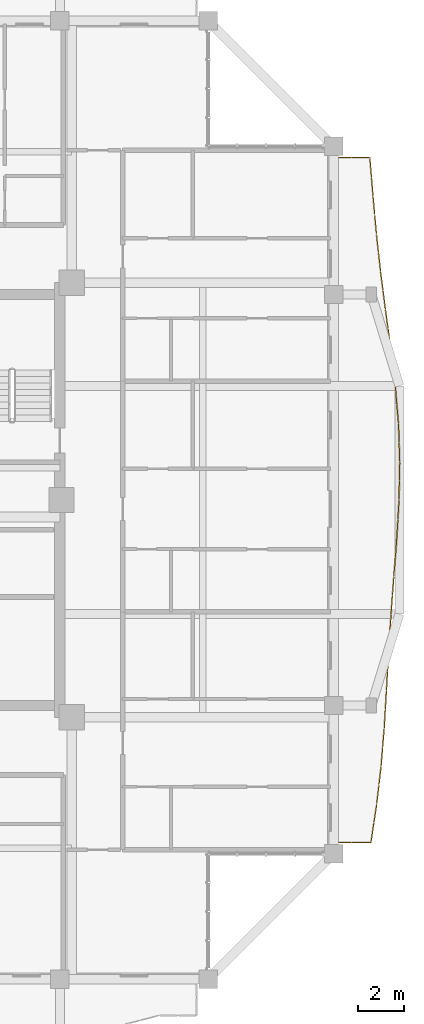
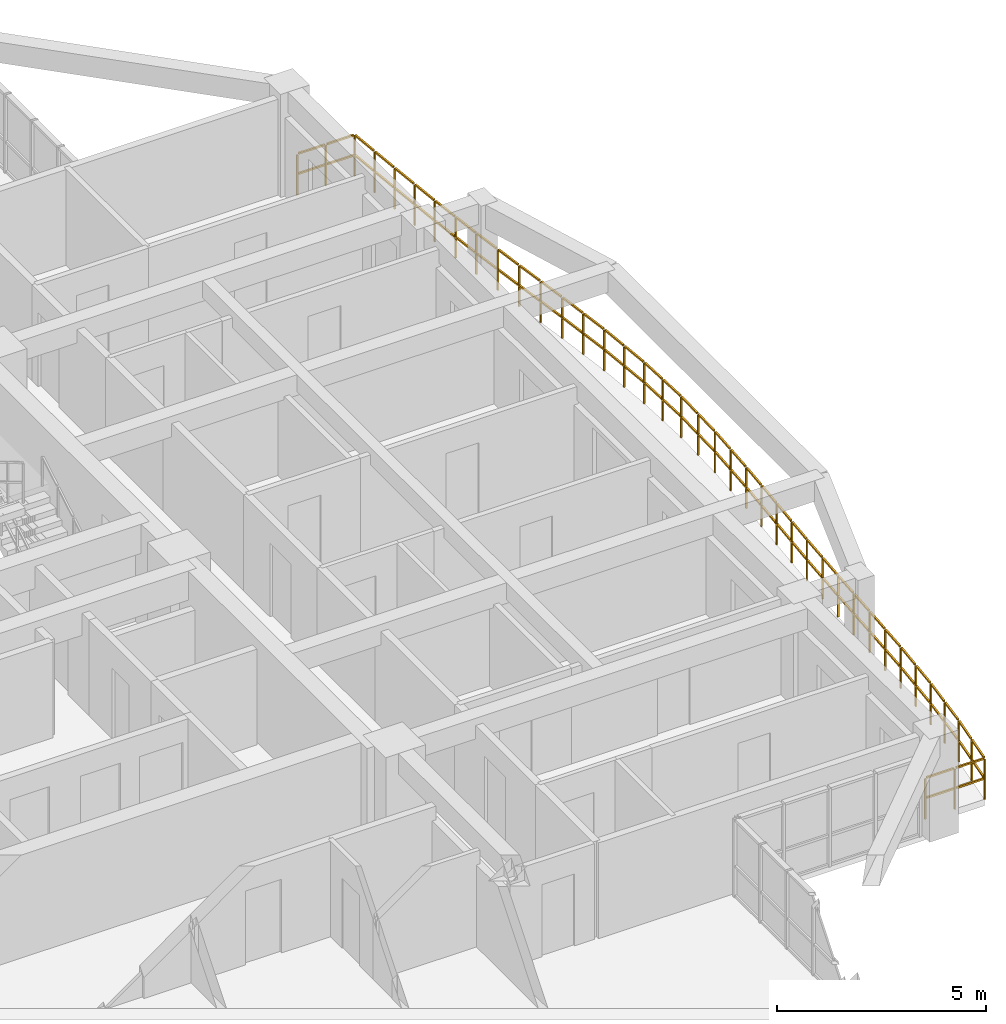
# One storey, part 21 of 22: 1 railing.
"""IFC4 building model written with IfcOpenShell, lengths in metres."""

from ifc_helpers import new_model, si_unit, direction, frame, origin, origin_2d, place, context, subcontext, project, spatial, rectangle, extrude, material, type_object, element, save


model = new_model("IFC4")

# Units and contexts
model_context = context("Model", 3, precision=1e-05, world=origin(), true_north=direction((0.0, 1.0)))
body_context = subcontext(model_context, "Body", "Model", "MODEL_VIEW")
ifc_project = project(units=[si_unit("LENGTHUNIT", "METRE"), si_unit("AREAUNIT", "SQUARE_METRE"), si_unit("VOLUMEUNIT", "CUBIC_METRE"), si_unit("PLANEANGLEUNIT", "RADIAN"), si_unit("MASSUNIT", "GRAM", prefix="KILO")], contexts=[model_context])

# Site, building, storey
site_placement = place(None, origin())
site = spatial("IfcSite", under=ifc_project, at=site_placement, CompositionType="ELEMENT")
building_placement = place(site_placement, origin())
building = spatial("IfcBuilding", under=site, at=building_placement, Name="Saelheon Loggia Tower", CompositionType="ELEMENT")
storey_placement = place(building_placement, frame((0.0, 0.0, 196.60009765625)))
storey = spatial("IfcBuildingStorey", under=building, at=storey_placement, Name="L61", CompositionType="ELEMENT", Elevation=196.60009765625)

# Railing
ifc_material = material(Name="Architectural Precast Concrete and Laminated Glass Guard", Category="concrete")
railing_type = type_object("IfcRailingType", Name="Guard_Loggia_RL_LOG", PredefinedType="BALUSTRADE", material=ifc_material)
railing_placement = place(storey_placement, frame((56.5, 12.0, 0.0)))
element("IfcRailing", 1, at=railing_placement, inside=storey, type_object=railing_type, Name="L61 East Loggia Balustrade", PredefinedType="BALUSTRADE", context=body_context, shape_type="SweptSolid", body=[
    extrude(rectangle(XDim=0.048095703125, YDim=0.048095703125, at=origin_2d()), frame((0.033203125, 0.0, 1.19580078125), z_axis=(1.0, 0.0, 0.0), x_axis=(0.0, 1.0, 0.0)), (0.0, 0.0, 1.0), 0.7509765625),
    extrude(rectangle(XDim=0.048095703125, YDim=0.048095703125, at=origin_2d()), frame((0.033203125, 0.0, 0.60986328125), z_axis=(1.0, 0.0, 0.0), x_axis=(0.0, 1.0, 0.0)), (0.0, 0.0, 1.0), 0.7509765625),
    extrude(rectangle(XDim=0.048095703125, YDim=0.048095703125, at=origin_2d()), frame((0.850830078125, 0.0, 1.19580078125), z_axis=(1.0, 0.0, 0.0), x_axis=(0.0, 1.0, 0.0)), (0.0, 0.0, 1.0), 0.7509765625),
    extrude(rectangle(XDim=0.048095703125, YDim=0.048095703125, at=origin_2d()), frame((0.850830078125, 0.0, 0.60986328125), z_axis=(1.0, 0.0, 0.0), x_axis=(0.0, 1.0, 0.0)), (0.0, 0.0, 1.0), 0.7509765625),
    extrude(rectangle(XDim=0.048095703125, YDim=0.048095703125, at=origin_2d()), frame((1.639892578125, 0.032958984375, 1.19580078125), z_axis=(0.149041602908, 0.988830926196, 0.0), x_axis=(-0.988830926196, 0.149041602908, 0.0)), (0.0, 0.0, 1.0), 0.7763671875),
    extrude(rectangle(XDim=0.048095703125, YDim=0.048095703125, at=origin_2d()), frame((1.639892578125, 0.032958984375, 0.60986328125), z_axis=(0.149041602908, 0.988830926196, 0.0), x_axis=(-0.988830926196, 0.149041602908, 0.0)), (0.0, 0.0, 1.0), 0.7763671875),
    extrude(rectangle(XDim=0.048095703125, YDim=0.048095703125, at=origin_2d()), frame((1.765625, 0.8662109375, 1.19580078125), z_axis=(0.149041602908, 0.988830926196, 0.0), x_axis=(-0.988830926196, 0.149041602908, 0.0)), (0.0, 0.0, 1.0), 0.7763671875),
    extrude(rectangle(XDim=0.048095703125, YDim=0.048095703125, at=origin_2d()), frame((1.765625, 0.8662109375, 0.60986328125), z_axis=(0.149041602908, 0.988830926196, 0.0), x_axis=(-0.988830926196, 0.149041602908, 0.0)), (0.0, 0.0, 1.0), 0.7763671875),
    extrude(rectangle(XDim=0.048095703125, YDim=0.048095703125, at=origin_2d()), frame((1.89013671875, 1.69970703125, 1.19580078125), z_axis=(0.115110168559, 0.993352731458, 0.0), x_axis=(-0.993352731458, 0.115110168559, 0.0)), (0.0, 0.0, 1.0), 0.7724609375),
    extrude(rectangle(XDim=0.048095703125, YDim=0.048095703125, at=origin_2d()), frame((1.89013671875, 1.69970703125, 0.60986328125), z_axis=(0.115110168559, 0.993352731458, 0.0), x_axis=(-0.993352731458, 0.115110168559, 0.0)), (0.0, 0.0, 1.0), 0.7724609375),
    extrude(rectangle(XDim=0.048095703125, YDim=0.048095703125, at=origin_2d()), frame((1.986572265625, 2.532958984375, 1.19580078125), z_axis=(0.115110168559, 0.993352731458, 0.0), x_axis=(-0.993352731458, 0.115110168559, 0.0)), (0.0, 0.0, 1.0), 0.7724609375),
    extrude(rectangle(XDim=0.048095703125, YDim=0.048095703125, at=origin_2d()), frame((1.986572265625, 2.532958984375, 0.60986328125), z_axis=(0.115110168559, 0.993352731458, 0.0), x_axis=(-0.993352731458, 0.115110168559, 0.0)), (0.0, 0.0, 1.0), 0.7724609375),
    extrude(rectangle(XDim=0.048095703125, YDim=0.048095703125, at=origin_2d()), frame((2.08203125, 3.366455078125, 1.19580078125), z_axis=(0.081317613755, 0.996688238966, 0.0), x_axis=(-0.996688238966, 0.081317613755, 0.0)), (0.0, 0.0, 1.0), 0.769775390625),
    extrude(rectangle(XDim=0.048095703125, YDim=0.048095703125, at=origin_2d()), frame((2.08203125, 3.366455078125, 0.60986328125), z_axis=(0.081317613755, 0.996688238966, 0.0), x_axis=(-0.996688238966, 0.081317613755, 0.0)), (0.0, 0.0, 1.0), 0.769775390625),
    extrude(rectangle(XDim=0.048095703125, YDim=0.048095703125, at=origin_2d()), frame((2.150146484375, 4.19970703125, 1.19580078125), z_axis=(0.081317613755, 0.996688238966, 0.0), x_axis=(-0.996688238966, 0.081317613755, 0.0)), (0.0, 0.0, 1.0), 0.769775390625),
    extrude(rectangle(XDim=0.048095703125, YDim=0.048095703125, at=origin_2d()), frame((2.150146484375, 4.19970703125, 0.60986328125), z_axis=(0.081317613755, 0.996688238966, 0.0), x_axis=(-0.996688238966, 0.081317613755, 0.0)), (0.0, 0.0, 1.0), 0.769775390625),
    extrude(rectangle(XDim=0.048095703125, YDim=0.048095703125, at=origin_2d()), frame((2.21728515625, 5.033203125, 1.19580078125), z_axis=(0.059510570368, 0.99822767544, 0.0), x_axis=(-0.99822767544, 0.059510570368, 0.0)), (0.0, 0.0, 1.0), 0.768310546875),
    extrude(rectangle(XDim=0.048095703125, YDim=0.048095703125, at=origin_2d()), frame((2.21728515625, 5.033203125, 0.60986328125), z_axis=(0.059510570368, 0.99822767544, 0.0), x_axis=(-0.99822767544, 0.059510570368, 0.0)), (0.0, 0.0, 1.0), 0.768310546875),
    extrude(rectangle(XDim=0.048095703125, YDim=0.048095703125, at=origin_2d()), frame((2.26708984375, 5.866455078125, 1.19580078125), z_axis=(0.059510570368, 0.99822767544, 0.0), x_axis=(-0.99822767544, 0.059510570368, 0.0)), (0.0, 0.0, 1.0), 0.768310546875),
    extrude(rectangle(XDim=0.048095703125, YDim=0.048095703125, at=origin_2d()), frame((2.26708984375, 5.866455078125, 0.60986328125), z_axis=(0.059510570368, 0.99822767544, 0.0), x_axis=(-0.99822767544, 0.059510570368, 0.0)), (0.0, 0.0, 1.0), 0.768310546875),
    extrude(rectangle(XDim=0.048095703125, YDim=0.048095703125, at=origin_2d()), frame((2.31640625, 6.699951171875, 1.19580078125), z_axis=(0.055000126962, 0.998486347445, 0.0), x_axis=(-0.998486347445, 0.055000126962, 0.0)), (0.0, 0.0, 1.0), 0.76806640625),
    extrude(rectangle(XDim=0.048095703125, YDim=0.048095703125, at=origin_2d()), frame((2.31640625, 6.699951171875, 0.60986328125), z_axis=(0.055000126962, 0.998486347445, 0.0), x_axis=(-0.998486347445, 0.055000126962, 0.0)), (0.0, 0.0, 1.0), 0.76806640625),
    extrude(rectangle(XDim=0.048095703125, YDim=0.048095703125, at=origin_2d()), frame((2.3623046875, 7.533203125, 1.19580078125), z_axis=(0.055000126962, 0.998486347445, 0.0), x_axis=(-0.998486347445, 0.055000126962, 0.0)), (0.0, 0.0, 1.0), 0.76806640625),
    extrude(rectangle(XDim=0.048095703125, YDim=0.048095703125, at=origin_2d()), frame((2.3623046875, 7.533203125, 0.60986328125), z_axis=(0.055000126962, 0.998486347445, 0.0), x_axis=(-0.998486347445, 0.055000126962, 0.0)), (0.0, 0.0, 1.0), 0.76806640625),
    extrude(rectangle(XDim=0.048095703125, YDim=0.048095703125, at=origin_2d()), frame((2.40869140625, 8.366455078125, 1.19580078125), z_axis=(0.063879811167, 0.997957599162, 0.0), x_axis=(-0.997957599162, 0.063879811167, 0.0)), (0.0, 0.0, 1.0), 0.7685546875),
    extrude(rectangle(XDim=0.048095703125, YDim=0.048095703125, at=origin_2d()), frame((2.40869140625, 8.366455078125, 0.60986328125), z_axis=(0.063879811167, 0.997957599162, 0.0), x_axis=(-0.997957599162, 0.063879811167, 0.0)), (0.0, 0.0, 1.0), 0.7685546875),
    extrude(rectangle(XDim=0.048095703125, YDim=0.048095703125, at=origin_2d()), frame((2.4619140625, 9.19970703125, 1.19580078125), z_axis=(0.063879811167, 0.997957599162, 0.0), x_axis=(-0.997957599162, 0.063879811167, 0.0)), (0.0, 0.0, 1.0), 0.7685546875),
    extrude(rectangle(XDim=0.048095703125, YDim=0.048095703125, at=origin_2d()), frame((2.4619140625, 9.19970703125, 0.60986328125), z_axis=(0.063879811167, 0.997957599162, 0.0), x_axis=(-0.997957599162, 0.063879811167, 0.0)), (0.0, 0.0, 1.0), 0.7685546875),
    extrude(rectangle(XDim=0.048095703125, YDim=0.048095703125, at=origin_2d()), frame((2.515625, 10.033203125, 1.19580078125), z_axis=(0.075076807606, 0.997177753943, 0.0), x_axis=(-0.997177753943, 0.075076807606, 0.0)), (0.0, 0.0, 1.0), 0.769287109375),
    extrude(rectangle(XDim=0.048095703125, YDim=0.048095703125, at=origin_2d()), frame((2.515625, 10.033203125, 0.60986328125), z_axis=(0.075076807606, 0.997177753943, 0.0), x_axis=(-0.997177753943, 0.075076807606, 0.0)), (0.0, 0.0, 1.0), 0.769287109375),
    extrude(rectangle(XDim=0.048095703125, YDim=0.048095703125, at=origin_2d()), frame((2.578369140625, 10.866455078125, 1.19580078125), z_axis=(0.075076807606, 0.997177753943, 0.0), x_axis=(-0.997177753943, 0.075076807606, 0.0)), (0.0, 0.0, 1.0), 0.769287109375),
    extrude(rectangle(XDim=0.048095703125, YDim=0.048095703125, at=origin_2d()), frame((2.578369140625, 10.866455078125, 0.60986328125), z_axis=(0.075076807606, 0.997177753943, 0.0), x_axis=(-0.997177753943, 0.075076807606, 0.0)), (0.0, 0.0, 1.0), 0.769287109375),
    extrude(rectangle(XDim=0.048095703125, YDim=0.048095703125, at=origin_2d()), frame((2.64111328125, 11.699951171875, 1.19580078125), z_axis=(0.075959226601, 0.997110924569, 0.0), x_axis=(-0.997110924569, 0.075959226601, 0.0)), (0.0, 0.0, 1.0), 0.769287109375),
    extrude(rectangle(XDim=0.048095703125, YDim=0.048095703125, at=origin_2d()), frame((2.64111328125, 11.699951171875, 0.60986328125), z_axis=(0.075959226601, 0.997110924569, 0.0), x_axis=(-0.997110924569, 0.075959226601, 0.0)), (0.0, 0.0, 1.0), 0.769287109375),
    extrude(rectangle(XDim=0.048095703125, YDim=0.048095703125, at=origin_2d()), frame((2.70458984375, 12.533203125, 1.19580078125), z_axis=(0.075959226601, 0.997110924569, 0.0), x_axis=(-0.997110924569, 0.075959226601, 0.0)), (0.0, 0.0, 1.0), 0.769287109375),
    extrude(rectangle(XDim=0.048095703125, YDim=0.048095703125, at=origin_2d()), frame((2.70458984375, 12.533203125, 0.60986328125), z_axis=(0.075959226601, 0.997110924569, 0.0), x_axis=(-0.997110924569, 0.075959226601, 0.0)), (0.0, 0.0, 1.0), 0.769287109375),
    extrude(rectangle(XDim=0.048095703125, YDim=0.048095703125, at=origin_2d()), frame((2.767578125, 13.366455078125, 1.19580078125), z_axis=(0.057761901726, 0.998330387552, 0.0), x_axis=(-0.998330387552, 0.057761901726, 0.0)), (0.0, 0.0, 1.0), 0.768310546875),
    extrude(rectangle(XDim=0.048095703125, YDim=0.048095703125, at=origin_2d()), frame((2.767578125, 13.366455078125, 0.60986328125), z_axis=(0.057761901726, 0.998330387552, 0.0), x_axis=(-0.998330387552, 0.057761901726, 0.0)), (0.0, 0.0, 1.0), 0.768310546875),
    extrude(rectangle(XDim=0.048095703125, YDim=0.048095703125, at=origin_2d()), frame((2.815673828125, 14.19970703125, 1.19580078125), z_axis=(0.057761901726, 0.998330387552, 0.0), x_axis=(-0.998330387552, 0.057761901726, 0.0)), (0.0, 0.0, 1.0), 0.768310546875),
    extrude(rectangle(XDim=0.048095703125, YDim=0.048095703125, at=origin_2d()), frame((2.815673828125, 14.19970703125, 0.60986328125), z_axis=(0.057761901726, 0.998330387552, 0.0), x_axis=(-0.998330387552, 0.057761901726, 0.0)), (0.0, 0.0, 1.0), 0.768310546875),
    extrude(rectangle(XDim=0.048095703125, YDim=0.048095703125, at=origin_2d()), frame((2.86279296875, 15.033203125, 1.19580078125), z_axis=(0.018892189386, 0.999821526664, 0.0), x_axis=(-0.999821526664, 0.018892189386, 0.0)), (0.0, 0.0, 1.0), 0.76708984375),
    extrude(rectangle(XDim=0.048095703125, YDim=0.048095703125, at=origin_2d()), frame((2.86279296875, 15.033203125, 0.60986328125), z_axis=(0.018892189386, 0.999821526664, 0.0), x_axis=(-0.999821526664, 0.018892189386, 0.0)), (0.0, 0.0, 1.0), 0.76708984375),
    extrude(rectangle(XDim=0.048095703125, YDim=0.048095703125, at=origin_2d()), frame((2.87841796875, 15.86669921875, 1.19580078125), z_axis=(0.018892189386, 0.999821526664, 0.0), x_axis=(-0.999821526664, 0.018892189386, 0.0)), (0.0, 0.0, 1.0), 0.76708984375),
    extrude(rectangle(XDim=0.048095703125, YDim=0.048095703125, at=origin_2d()), frame((2.87841796875, 15.86669921875, 0.60986328125), z_axis=(0.018892189386, 0.999821526664, 0.0), x_axis=(-0.999821526664, 0.018892189386, 0.0)), (0.0, 0.0, 1.0), 0.76708984375),
    extrude(rectangle(XDim=0.048095703125, YDim=0.048095703125, at=origin_2d()), frame((2.892578125, 16.699951171875, 1.19580078125), z_axis=(-0.032944311089, 0.999457188861, 0.0), x_axis=(-0.999457188861, -0.032944311089, 0.0)), (0.0, 0.0, 1.0), 0.767333984375),
    extrude(rectangle(XDim=0.048095703125, YDim=0.048095703125, at=origin_2d()), frame((2.892578125, 16.699951171875, 0.60986328125), z_axis=(-0.032944311089, 0.999457188861, 0.0), x_axis=(-0.999457188861, -0.032944311089, 0.0)), (0.0, 0.0, 1.0), 0.767333984375),
    extrude(rectangle(XDim=0.048095703125, YDim=0.048095703125, at=origin_2d()), frame((2.864990234375, 17.533203125, 1.19580078125), z_axis=(-0.032944311089, 0.999457188861, 0.0), x_axis=(-0.999457188861, -0.032944311089, 0.0)), (0.0, 0.0, 1.0), 0.767333984375),
    extrude(rectangle(XDim=0.048095703125, YDim=0.048095703125, at=origin_2d()), frame((2.864990234375, 17.533203125, 0.60986328125), z_axis=(-0.032944311089, 0.999457188861, 0.0), x_axis=(-0.999457188861, -0.032944311089, 0.0)), (0.0, 0.0, 1.0), 0.767333984375),
    extrude(rectangle(XDim=0.048095703125, YDim=0.048095703125, at=origin_2d()), frame((2.8359375, 18.366455078125, 1.19580078125), z_axis=(-0.083637374408, 0.996496256692, 0.0), x_axis=(-0.996496256692, -0.083637374408, 0.0)), (0.0, 0.0, 1.0), 0.769775390625),
    extrude(rectangle(XDim=0.048095703125, YDim=0.048095703125, at=origin_2d()), frame((2.8359375, 18.366455078125, 0.60986328125), z_axis=(-0.083637374408, 0.996496256692, 0.0), x_axis=(-0.996496256692, -0.083637374408, 0.0)), (0.0, 0.0, 1.0), 0.769775390625),
    extrude(rectangle(XDim=0.048095703125, YDim=0.048095703125, at=origin_2d()), frame((2.765869140625, 19.19970703125, 1.19580078125), z_axis=(-0.083637374408, 0.996496256692, 0.0), x_axis=(-0.996496256692, -0.083637374408, 0.0)), (0.0, 0.0, 1.0), 0.769775390625),
    extrude(rectangle(XDim=0.048095703125, YDim=0.048095703125, at=origin_2d()), frame((2.765869140625, 19.19970703125, 0.60986328125), z_axis=(-0.083637374408, 0.996496256692, 0.0), x_axis=(-0.996496256692, -0.083637374408, 0.0)), (0.0, 0.0, 1.0), 0.769775390625),
    extrude(rectangle(XDim=0.048095703125, YDim=0.048095703125, at=origin_2d()), frame((2.69482421875, 20.032958984375, 1.19580078125), z_axis=(-0.120114226524, 0.992760078058, 0.0), x_axis=(-0.992760078058, -0.120114226524, 0.0)), (0.0, 0.0, 1.0), 0.77294921875),
    extrude(rectangle(XDim=0.048095703125, YDim=0.048095703125, at=origin_2d()), frame((2.69482421875, 20.032958984375, 0.60986328125), z_axis=(-0.120114226524, 0.992760078058, 0.0), x_axis=(-0.992760078058, -0.120114226524, 0.0)), (0.0, 0.0, 1.0), 0.77294921875),
    extrude(rectangle(XDim=0.048095703125, YDim=0.048095703125, at=origin_2d()), frame((2.593994140625, 20.866455078125, 1.19580078125), z_axis=(-0.120114226524, 0.992760078058, 0.0), x_axis=(-0.992760078058, -0.120114226524, 0.0)), (0.0, 0.0, 1.0), 0.77294921875),
    extrude(rectangle(XDim=0.048095703125, YDim=0.048095703125, at=origin_2d()), frame((2.593994140625, 20.866455078125, 0.60986328125), z_axis=(-0.120114226524, 0.992760078058, 0.0), x_axis=(-0.992760078058, -0.120114226524, 0.0)), (0.0, 0.0, 1.0), 0.77294921875),
    extrude(rectangle(XDim=0.048095703125, YDim=0.048095703125, at=origin_2d()), frame((2.49267578125, 21.69970703125, 1.19580078125), z_axis=(-0.134426490543, 0.990923568516, 0.0), x_axis=(-0.990923568516, -0.134426490543, 0.0)), (0.0, 0.0, 1.0), 0.7744140625),
    extrude(rectangle(XDim=0.048095703125, YDim=0.048095703125, at=origin_2d()), frame((2.49267578125, 21.69970703125, 0.60986328125), z_axis=(-0.134426490543, 0.990923568516, 0.0), x_axis=(-0.990923568516, -0.134426490543, 0.0)), (0.0, 0.0, 1.0), 0.7744140625),
    extrude(rectangle(XDim=0.048095703125, YDim=0.048095703125, at=origin_2d()), frame((2.379638671875, 22.532958984375, 1.19580078125), z_axis=(-0.134426490543, 0.990923568516, 0.0), x_axis=(-0.990923568516, -0.134426490543, 0.0)), (0.0, 0.0, 1.0), 0.7744140625),
    extrude(rectangle(XDim=0.048095703125, YDim=0.048095703125, at=origin_2d()), frame((2.379638671875, 22.532958984375, 0.60986328125), z_axis=(-0.134426490543, 0.990923568516, 0.0), x_axis=(-0.990923568516, -0.134426490543, 0.0)), (0.0, 0.0, 1.0), 0.7744140625),
    extrude(rectangle(XDim=0.048095703125, YDim=0.048095703125, at=origin_2d()), frame((2.266845703125, 23.3662109375, 1.19580078125), z_axis=(-0.127842269028, 0.991794512109, 0.0), x_axis=(-0.991794512109, -0.127842269028, 0.0)), (0.0, 0.0, 1.0), 0.773681640625),
    extrude(rectangle(XDim=0.048095703125, YDim=0.048095703125, at=origin_2d()), frame((2.266845703125, 23.3662109375, 0.60986328125), z_axis=(-0.127842269028, 0.991794512109, 0.0), x_axis=(-0.991794512109, -0.127842269028, 0.0)), (0.0, 0.0, 1.0), 0.773681640625),
    extrude(rectangle(XDim=0.048095703125, YDim=0.048095703125, at=origin_2d()), frame((2.159423828125, 24.19970703125, 1.19580078125), z_axis=(-0.127842269028, 0.991794512109, 0.0), x_axis=(-0.991794512109, -0.127842269028, 0.0)), (0.0, 0.0, 1.0), 0.773681640625),
    extrude(rectangle(XDim=0.048095703125, YDim=0.048095703125, at=origin_2d()), frame((2.159423828125, 24.19970703125, 0.60986328125), z_axis=(-0.127842269028, 0.991794512109, 0.0), x_axis=(-0.991794512109, -0.127842269028, 0.0)), (0.0, 0.0, 1.0), 0.773681640625),
    extrude(rectangle(XDim=0.048095703125, YDim=0.048095703125, at=origin_2d()), frame((2.052490234375, 25.032958984375, 1.19580078125), z_axis=(-0.108625418664, 0.9940827523, 0.0), x_axis=(-0.9940827523, -0.108625418664, 0.0)), (0.0, 0.0, 1.0), 0.77197265625),
    extrude(rectangle(XDim=0.048095703125, YDim=0.048095703125, at=origin_2d()), frame((2.052490234375, 25.032958984375, 0.60986328125), z_axis=(-0.108625418664, 0.9940827523, 0.0), x_axis=(-0.9940827523, -0.108625418664, 0.0)), (0.0, 0.0, 1.0), 0.77197265625),
    extrude(rectangle(XDim=0.048095703125, YDim=0.048095703125, at=origin_2d()), frame((1.96142578125, 25.866455078125, 1.19580078125), z_axis=(-0.108625418664, 0.9940827523, 0.0), x_axis=(-0.9940827523, -0.108625418664, 0.0)), (0.0, 0.0, 1.0), 0.77197265625),
    extrude(rectangle(XDim=0.048095703125, YDim=0.048095703125, at=origin_2d()), frame((1.96142578125, 25.866455078125, 0.60986328125), z_axis=(-0.108625418664, 0.9940827523, 0.0), x_axis=(-0.9940827523, -0.108625418664, 0.0)), (0.0, 0.0, 1.0), 0.77197265625),
    extrude(rectangle(XDim=0.048095703125, YDim=0.048095703125, at=origin_2d()), frame((1.87109375, 26.699951171875, 1.19580078125), z_axis=(-0.089733224399, 0.995965836984, 0.0), x_axis=(-0.995965836984, -0.089733224399, 0.0)), (0.0, 0.0, 1.0), 0.770263671875),
    extrude(rectangle(XDim=0.048095703125, YDim=0.048095703125, at=origin_2d()), frame((1.87109375, 26.699951171875, 0.60986328125), z_axis=(-0.089733224399, 0.995965836984, 0.0), x_axis=(-0.995965836984, -0.089733224399, 0.0)), (0.0, 0.0, 1.0), 0.770263671875),
    extrude(rectangle(XDim=0.048095703125, YDim=0.048095703125, at=origin_2d()), frame((1.7958984375, 27.533203125, 1.19580078125), z_axis=(-0.089733224399, 0.995965836984, 0.0), x_axis=(-0.995965836984, -0.089733224399, 0.0)), (0.0, 0.0, 1.0), 0.770263671875),
    extrude(rectangle(XDim=0.048095703125, YDim=0.048095703125, at=origin_2d()), frame((1.7958984375, 27.533203125, 0.60986328125), z_axis=(-0.089733224399, 0.995965836984, 0.0), x_axis=(-0.995965836984, -0.089733224399, 0.0)), (0.0, 0.0, 1.0), 0.770263671875),
    extrude(rectangle(XDim=0.048095703125, YDim=0.048095703125, at=origin_2d()), frame((1.72119140625, 28.366455078125, 1.19580078125), z_axis=(-0.082622644176, 0.996580904227, 0.0), x_axis=(-0.996580904227, -0.082622644176, 0.0)), (0.0, 0.0, 1.0), 0.769775390625),
    extrude(rectangle(XDim=0.048095703125, YDim=0.048095703125, at=origin_2d()), frame((1.72119140625, 28.366455078125, 0.60986328125), z_axis=(-0.082622644176, 0.996580904227, 0.0), x_axis=(-0.996580904227, -0.082622644176, 0.0)), (0.0, 0.0, 1.0), 0.769775390625),
    extrude(rectangle(XDim=0.048095703125, YDim=0.048095703125, at=origin_2d()), frame((1.652099609375, 29.19970703125, 1.19580078125), z_axis=(-0.082622644176, 0.996580904227, 0.0), x_axis=(-0.996580904227, -0.082622644176, 0.0)), (0.0, 0.0, 1.0), 0.769775390625),
    extrude(rectangle(XDim=0.048095703125, YDim=0.048095703125, at=origin_2d()), frame((1.652099609375, 29.19970703125, 0.60986328125), z_axis=(-0.082622644176, 0.996580904227, 0.0), x_axis=(-0.996580904227, -0.082622644176, 0.0)), (0.0, 0.0, 1.0), 0.769775390625),
    extrude(rectangle(XDim=0.048095703125, YDim=0.048095703125, at=origin_2d()), frame((1.552490234375, 30.0, 1.19580078125), z_axis=(-1.0, 0.0, 0.0), x_axis=(0.0, -1.0, 0.0)), (0.0, 0.0, 1.0), 0.726318359375),
    extrude(rectangle(XDim=0.048095703125, YDim=0.048095703125, at=origin_2d()), frame((1.552490234375, 30.0, 0.60986328125), z_axis=(-1.0, 0.0, 0.0), x_axis=(0.0, -1.0, 0.0)), (0.0, 0.0, 1.0), 0.726318359375),
    extrude(rectangle(XDim=0.048095703125, YDim=0.048095703125, at=origin_2d()), frame((0.759521484375, 30.0, 1.19580078125), z_axis=(-1.0, 0.0, 0.0), x_axis=(0.0, -1.0, 0.0)), (0.0, 0.0, 1.0), 0.726318359375),
    extrude(rectangle(XDim=0.048095703125, YDim=0.048095703125, at=origin_2d()), frame((0.759521484375, 30.0, 0.60986328125), z_axis=(-1.0, 0.0, 0.0), x_axis=(0.0, -1.0, 0.0)), (0.0, 0.0, 1.0), 0.726318359375),
    extrude(rectangle(XDim=0.0419921875, YDim=0.0419921875, at=origin_2d()), origin(), (0.0, 0.0, 1.0), 1.16796875),
    extrude(rectangle(XDim=0.0419921875, YDim=0.0419921875, at=origin_2d()), frame((0.8173828125, 0.0, 0.0)), (0.0, 0.0, 1.0), 1.16796875),
    extrude(rectangle(XDim=0.0419921875, YDim=0.0419921875, at=origin_2d()), frame((1.635009765625, 0.0, 0.0)), (0.0, 0.0, 1.0), 1.16796875),
    extrude(rectangle(XDim=0.0419921875, YDim=0.0419921875, at=origin_2d()), frame((1.7607421875, 0.83349609375, 0.0)), (0.0, 0.0, 1.0), 1.16796875),
    extrude(rectangle(XDim=0.0419921875, YDim=0.0419921875, at=origin_2d()), frame((1.88623046875, 1.666748046875, 0.0)), (0.0, 0.0, 1.0), 1.16796875),
    extrude(rectangle(XDim=0.0419921875, YDim=0.0419921875, at=origin_2d()), frame((1.98291015625, 2.5, 0.0)), (0.0, 0.0, 1.0), 1.16796875),
    extrude(rectangle(XDim=0.0419921875, YDim=0.0419921875, at=origin_2d()), frame((2.079345703125, 3.333251953125, 0.0)), (0.0, 0.0, 1.0), 1.16796875),
    extrude(rectangle(XDim=0.0419921875, YDim=0.0419921875, at=origin_2d()), frame((2.1474609375, 4.16650390625, 0.0)), (0.0, 0.0, 1.0), 1.16796875),
    extrude(rectangle(XDim=0.0419921875, YDim=0.0419921875, at=origin_2d()), frame((2.21533203125, 5.0, 0.0)), (0.0, 0.0, 1.0), 1.16796875),
    extrude(rectangle(XDim=0.0419921875, YDim=0.0419921875, at=origin_2d()), frame((2.26513671875, 5.83349609375, 0.0)), (0.0, 0.0, 1.0), 1.16796875),
    extrude(rectangle(XDim=0.0419921875, YDim=0.0419921875, at=origin_2d()), frame((2.314697265625, 6.666748046875, 0.0)), (0.0, 0.0, 1.0), 1.16796875),
    extrude(rectangle(XDim=0.0419921875, YDim=0.0419921875, at=origin_2d()), frame((2.360595703125, 7.5, 0.0)), (0.0, 0.0, 1.0), 1.16796875),
    extrude(rectangle(XDim=0.0419921875, YDim=0.0419921875, at=origin_2d()), frame((2.406494140625, 8.333251953125, 0.0)), (0.0, 0.0, 1.0), 1.16796875),
    extrude(rectangle(XDim=0.0419921875, YDim=0.0419921875, at=origin_2d()), frame((2.4599609375, 9.16650390625, 0.0)), (0.0, 0.0, 1.0), 1.16796875),
    extrude(rectangle(XDim=0.0419921875, YDim=0.0419921875, at=origin_2d()), frame((2.51318359375, 10.0, 0.0)), (0.0, 0.0, 1.0), 1.16796875),
    extrude(rectangle(XDim=0.0419921875, YDim=0.0419921875, at=origin_2d()), frame((2.575927734375, 10.83349609375, 0.0)), (0.0, 0.0, 1.0), 1.16796875),
    extrude(rectangle(XDim=0.0419921875, YDim=0.0419921875, at=origin_2d()), frame((2.638671875, 11.666748046875, 0.0)), (0.0, 0.0, 1.0), 1.16796875),
    extrude(rectangle(XDim=0.0419921875, YDim=0.0419921875, at=origin_2d()), frame((2.7021484375, 12.5, 0.0)), (0.0, 0.0, 1.0), 1.16796875),
    extrude(rectangle(XDim=0.0419921875, YDim=0.0419921875, at=origin_2d()), frame((2.765625, 13.333251953125, 0.0)), (0.0, 0.0, 1.0), 1.16796875),
    extrude(rectangle(XDim=0.0419921875, YDim=0.0419921875, at=origin_2d()), frame((2.81396484375, 14.16650390625, 0.0)), (0.0, 0.0, 1.0), 1.16796875),
    extrude(rectangle(XDim=0.0419921875, YDim=0.0419921875, at=origin_2d()), frame((2.862060546875, 15.0, 0.0)), (0.0, 0.0, 1.0), 1.16796875),
    extrude(rectangle(XDim=0.0419921875, YDim=0.0419921875, at=origin_2d()), frame((2.8779296875, 15.83349609375, 0.0)), (0.0, 0.0, 1.0), 1.16796875),
    extrude(rectangle(XDim=0.0419921875, YDim=0.0419921875, at=origin_2d()), frame((2.8935546875, 16.666748046875, 0.0)), (0.0, 0.0, 1.0), 1.16796875),
    extrude(rectangle(XDim=0.0419921875, YDim=0.0419921875, at=origin_2d()), frame((2.8662109375, 17.5, 0.0)), (0.0, 0.0, 1.0), 1.16796875),
    extrude(rectangle(XDim=0.0419921875, YDim=0.0419921875, at=origin_2d()), frame((2.838623046875, 18.333251953125, 0.0)), (0.0, 0.0, 1.0), 1.16796875),
    extrude(rectangle(XDim=0.0419921875, YDim=0.0419921875, at=origin_2d()), frame((2.7685546875, 19.16650390625, 0.0)), (0.0, 0.0, 1.0), 1.16796875),
    extrude(rectangle(XDim=0.0419921875, YDim=0.0419921875, at=origin_2d()), frame((2.69873046875, 20.0, 0.0)), (0.0, 0.0, 1.0), 1.16796875),
    extrude(rectangle(XDim=0.0419921875, YDim=0.0419921875, at=origin_2d()), frame((2.597900390625, 20.83349609375, 0.0)), (0.0, 0.0, 1.0), 1.16796875),
    extrude(rectangle(XDim=0.0419921875, YDim=0.0419921875, at=origin_2d()), frame((2.4970703125, 21.666748046875, 0.0)), (0.0, 0.0, 1.0), 1.16796875),
    extrude(rectangle(XDim=0.0419921875, YDim=0.0419921875, at=origin_2d()), frame((2.384033203125, 22.5, 0.0)), (0.0, 0.0, 1.0), 1.16796875),
    extrude(rectangle(XDim=0.0419921875, YDim=0.0419921875, at=origin_2d()), frame((2.27099609375, 23.333251953125, 0.0)), (0.0, 0.0, 1.0), 1.16796875),
    extrude(rectangle(XDim=0.0419921875, YDim=0.0419921875, at=origin_2d()), frame((2.16357421875, 24.16650390625, 0.0)), (0.0, 0.0, 1.0), 1.16796875),
    extrude(rectangle(XDim=0.0419921875, YDim=0.0419921875, at=origin_2d()), frame((2.05615234375, 25.0, 0.0)), (0.0, 0.0, 1.0), 1.16796875),
    extrude(rectangle(XDim=0.0419921875, YDim=0.0419921875, at=origin_2d()), frame((1.965087890625, 25.83349609375, 0.0)), (0.0, 0.0, 1.0), 1.16796875),
    extrude(rectangle(XDim=0.0419921875, YDim=0.0419921875, at=origin_2d()), frame((1.8740234375, 26.666748046875, 0.0)), (0.0, 0.0, 1.0), 1.16796875),
    extrude(rectangle(XDim=0.0419921875, YDim=0.0419921875, at=origin_2d()), frame((1.798828125, 27.5, 0.0)), (0.0, 0.0, 1.0), 1.16796875),
    extrude(rectangle(XDim=0.0419921875, YDim=0.0419921875, at=origin_2d()), frame((1.723876953125, 28.333251953125, 0.0)), (0.0, 0.0, 1.0), 1.16796875),
    extrude(rectangle(XDim=0.0419921875, YDim=0.0419921875, at=origin_2d()), frame((1.65478515625, 29.16650390625, 0.0)), (0.0, 0.0, 1.0), 1.16796875),
    extrude(rectangle(XDim=0.0419921875, YDim=0.0419921875, at=origin_2d()), frame((1.585693359375, 30.0, 0.0)), (0.0, 0.0, 1.0), 1.16796875),
    extrude(rectangle(XDim=0.0419921875, YDim=0.0419921875, at=origin_2d()), frame((0.79296875, 30.0, 0.0)), (0.0, 0.0, 1.0), 1.16796875),
    extrude(rectangle(XDim=0.0419921875, YDim=0.0419921875, at=origin_2d()), frame((0.0, 30.0, 0.0)), (0.0, 0.0, 1.0), 1.16796875),
])

save(model, "model.ifc")
